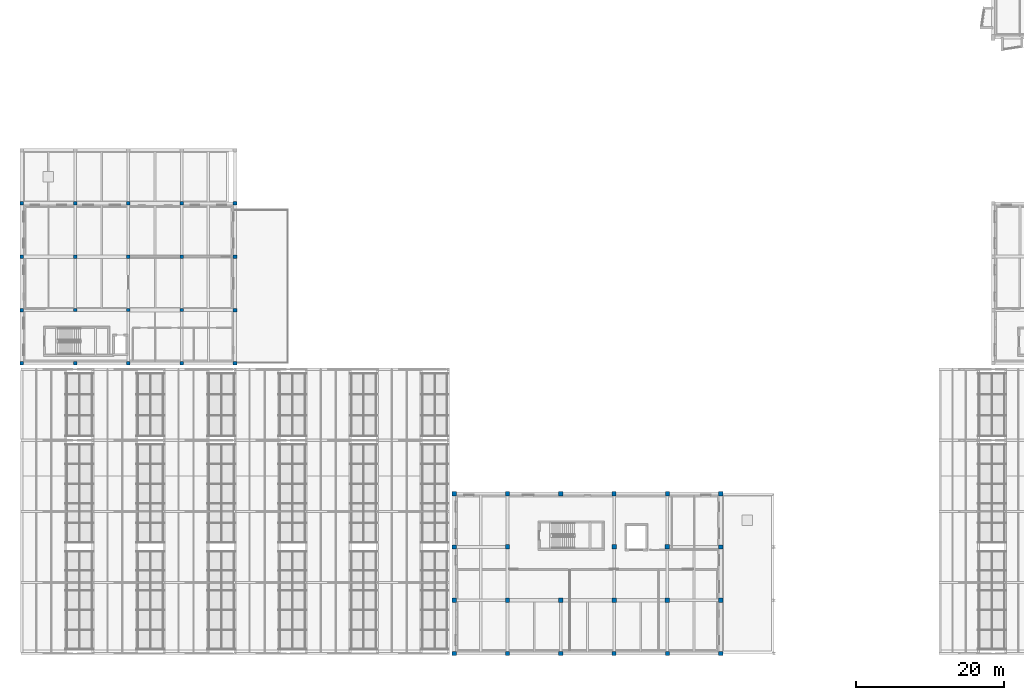
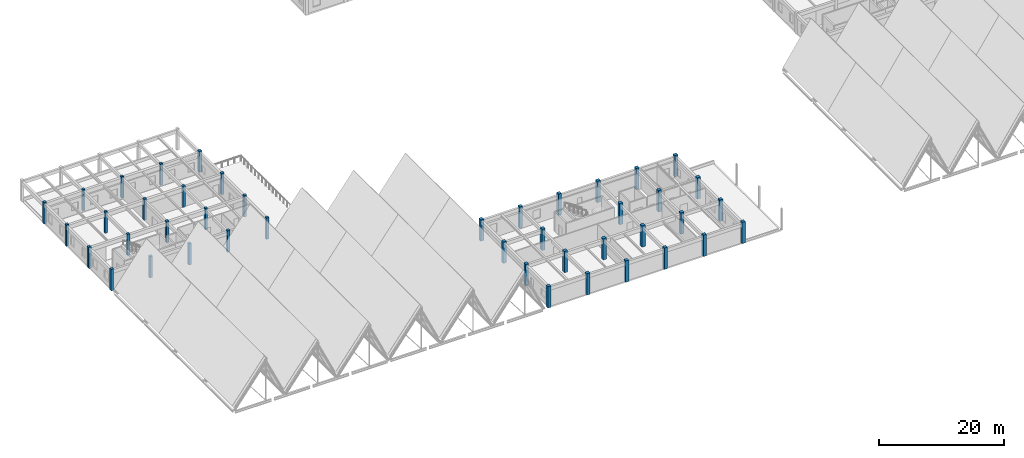
# One storey, part 1 of 99: 43 columns.
"""IFC4 building model written with IfcOpenShell, lengths in metres."""

from ifc_helpers import new_model, si_unit, direction, frame, origin, origin_2d, place, context, subcontext, project, spatial, rectangle, extrude, material, material_profile, profile_set, type_object, element, save


model = new_model("IFC4")

# Units and contexts
model_context = context("Model", 3, precision=1e-05, world=origin(), true_north=direction((0.0, 1.0)))
body_context = subcontext(model_context, "Body", "Model", "MODEL_VIEW")
ifc_project = project(units=[si_unit("LENGTHUNIT", "METRE"), si_unit("AREAUNIT", "SQUARE_METRE"), si_unit("VOLUMEUNIT", "CUBIC_METRE"), si_unit("PLANEANGLEUNIT", "RADIAN"), si_unit("MASSUNIT", "GRAM", prefix="KILO")], contexts=[model_context])

# Site, building, storey
site_placement = place(None, origin())
site = spatial("IfcSite", under=ifc_project, at=site_placement, CompositionType="ELEMENT")
building_placement = place(site_placement, origin())
building = spatial("IfcBuilding", under=site, at=building_placement, Name="Bramveld Media Centre", CompositionType="ELEMENT")
storey_placement = place(building_placement, frame((0.0, 0.0, 13.800048828125)))
storey = spatial("IfcBuildingStorey", under=building, at=storey_placement, Name="L03", CompositionType="ELEMENT", Elevation=13.800048828125)

# Columns
ifc_material_1 = material(Name="Concrete C40/50", Category="concrete")
ifc_material_profile_1 = material_profile(ifc_material_1, rectangle(XDim=0.47998046875, YDim=0.47998046875, at=origin_2d()), Name="RC 480x480")
ifc_profile_set_1 = profile_set([ifc_material_profile_1], Name="Concrete C40/50")
column_type_1 = type_object("IfcColumnType", Name="COL-EXT-RC-480x480", PredefinedType="COLUMN", material=ifc_profile_set_1)
for number, where, z_axis, x_axis, name in (
    (1, (0.0, 39.199951171875, 0.0), (0.0, 0.0, 1.0), (1.0, 0.0, 0.0), "V3 L03 column RC 480x480"),
    (2, (0.0, 46.39990234375, 0.0), (0.0, 0.0, 1.0), (1.0, 0.0, 0.0), "V3 L03 column RC 480x480"),
    (3, (0.0, 53.60009765625, 0.0), (0.0, 0.0, 1.0), (1.0, 0.0, 0.0), "V3 L03 column RC 480x480"),
    (4, (0.0, 60.800048828125, 0.0), (0.0, 0.0, 1.0), (1.0, 0.0, 0.0), "V3 L03 column RC 480x480"),
    (5, (7.199951171875, 39.199951171875, 0.0), (0.0, 0.0, 1.0), (1.0, 0.0, 0.0), "V3 L03 column RC 480x480"),
    (6, (14.39990234375, 39.199951171875, 0.0), (0.0, 0.0, 1.0), (1.0, 0.0, 0.0), "V3 L03 column RC 480x480"),
    (7, (21.60009765625, 39.199951171875, 0.0), (0.0, 0.0, 1.0), (1.0, 0.0, 0.0), "V3 L03 column RC 480x480"),
    (8, (28.800048828125, 39.199951171875, 0.0), (0.0, 0.0, 1.0), (1.0, 0.0, 0.0), "V3 L03 column RC 480x480"),
    (9, (28.800048828125, 46.39990234375, 0.0), (0.0, 0.0, 1.0), (1.0, 0.0, 0.0), "V3 L03 column RC 480x480"),
    (10, (28.800048828125, 53.60009765625, 0.0), (0.0, 0.0, 1.0), (1.0, 0.0, 0.0), "V3 L03 column RC 480x480"),
    (11, (28.800048828125, 60.800048828125, 0.0), (0.0, 0.0, 1.0), (1.0, 0.0, 0.0), "V3 L03 column RC 480x480"),
):
    element("IfcColumn", number, at=place(storey_placement, frame(where, z_axis=z_axis, x_axis=x_axis)), inside=storey, type_object=column_type_1, Name=name, PredefinedType="COLUMN", context=body_context, shape_type="SweptSolid", body=[
        extrude(rectangle(XDim=0.47998046875, YDim=0.47998046875, at=origin_2d()), origin(), (0.0, 0.0, 1.0), 4.199951171875),
    ])
ifc_material_2 = material(Name="Concrete C40/50", Category="concrete")
ifc_material_profile_2 = material_profile(ifc_material_2, rectangle(XDim=0.580078125, YDim=0.580078125, at=origin_2d()), Name="RC 580x580")
ifc_profile_set_2 = profile_set([ifc_material_profile_2], Name="Concrete C40/50")
column_type_2 = type_object("IfcColumnType", Name="COL-EXT-RC-580x580", PredefinedType="COLUMN", material=ifc_profile_set_2)
for number, where, z_axis, x_axis, name in (
    (12, (58.39990234375, 0.0, 0.0), (0.0, 0.0, 1.0), (1.0, 0.0, 0.0), "V5 L03 column RC 580x580"),
    (13, (58.39990234375, 7.199951171875, 0.0), (0.0, 0.0, 1.0), (1.0, 0.0, 0.0), "V5 L03 column RC 580x580"),
    (14, (58.39990234375, 14.39990234375, 0.0), (0.0, 0.0, 1.0), (1.0, 0.0, 0.0), "V5 L03 column RC 580x580"),
    (15, (58.39990234375, 21.60009765625, 0.0), (0.0, 0.0, 1.0), (1.0, 0.0, 0.0), "V5 L03 column RC 580x580"),
    (16, (65.60009765625, 0.0, 0.0), (0.0, 0.0, 1.0), (1.0, 0.0, 0.0), "V5 L03 column RC 580x580"),
    (17, (65.60009765625, 21.60009765625, 0.0), (0.0, 0.0, 1.0), (1.0, 0.0, 0.0), "V5 L03 column RC 580x580"),
    (18, (72.800048828125, 0.0, 0.0), (0.0, 0.0, 1.0), (1.0, 0.0, 0.0), "V5 L03 column RC 580x580"),
    (19, (72.800048828125, 21.60009765625, 0.0), (0.0, 0.0, 1.0), (1.0, 0.0, 0.0), "V5 L03 column RC 580x580"),
    (20, (80.0, 0.0, 0.0), (0.0, 0.0, 1.0), (1.0, 0.0, 0.0), "V5 L03 column RC 580x580"),
    (21, (80.0, 21.60009765625, 0.0), (0.0, 0.0, 1.0), (1.0, 0.0, 0.0), "V5 L03 column RC 580x580"),
    (22, (87.199951171875, 0.0, 0.0), (0.0, 0.0, 1.0), (1.0, 0.0, 0.0), "V5 L03 column RC 580x580"),
    (23, (87.199951171875, 21.60009765625, 0.0), (0.0, 0.0, 1.0), (1.0, 0.0, 0.0), "V5 L03 column RC 580x580"),
    (24, (94.39990234375, 0.0, 0.0), (0.0, 0.0, 1.0), (1.0, 0.0, 0.0), "V5 L03 column RC 580x580"),
    (25, (94.39990234375, 7.199951171875, 0.0), (0.0, 0.0, 1.0), (1.0, 0.0, 0.0), "V5 L03 column RC 580x580"),
    (26, (94.39990234375, 14.39990234375, 0.0), (0.0, 0.0, 1.0), (1.0, 0.0, 0.0), "V5 L03 column RC 580x580"),
    (27, (94.39990234375, 21.60009765625, 0.0), (0.0, 0.0, 1.0), (1.0, 0.0, 0.0), "V5 L03 column RC 580x580"),
):
    element("IfcColumn", number, at=place(storey_placement, frame(where, z_axis=z_axis, x_axis=x_axis)), inside=storey, type_object=column_type_2, Name=name, PredefinedType="COLUMN", context=body_context, shape_type="SweptSolid", body=[
        extrude(rectangle(XDim=0.580078125, YDim=0.580078125, at=origin_2d()), origin(), (0.0, 0.0, 1.0), 4.199951171875),
    ])
ifc_material_3 = material(Name="Concrete C40/50", Category="concrete")
ifc_material_profile_3 = material_profile(ifc_material_3, rectangle(XDim=0.449951171875, YDim=0.449951171875, at=origin_2d()), Name="RC 450x450")
ifc_profile_set_3 = profile_set([ifc_material_profile_3], Name="Concrete C40/50")
column_type_3 = type_object("IfcColumnType", Name="COL-INT-RC-450x450", PredefinedType="COLUMN", material=ifc_profile_set_3)
for number, where, z_axis, x_axis, name in (
    (28, (7.199951171875, 46.39990234375, 0.0), (0.0, 0.0, 1.0), (1.0, 0.0, 0.0), "V3 L03 column RC 450x450"),
    (29, (7.199951171875, 53.60009765625, 0.0), (0.0, 0.0, 1.0), (1.0, 0.0, 0.0), "V3 L03 column RC 450x450"),
    (30, (7.199951171875, 60.800048828125, 0.0), (0.0, 0.0, 1.0), (1.0, 0.0, 0.0), "V3 L03 column RC 450x450"),
    (31, (14.39990234375, 46.39990234375, 0.0), (0.0, 0.0, 1.0), (1.0, 0.0, 0.0), "V3 L03 column RC 450x450"),
    (32, (14.39990234375, 53.60009765625, 0.0), (0.0, 0.0, 1.0), (1.0, 0.0, 0.0), "V3 L03 column RC 450x450"),
    (33, (14.39990234375, 60.800048828125, 0.0), (0.0, 0.0, 1.0), (1.0, 0.0, 0.0), "V3 L03 column RC 450x450"),
    (34, (21.60009765625, 46.39990234375, 0.0), (0.0, 0.0, 1.0), (1.0, 0.0, 0.0), "V3 L03 column RC 450x450"),
    (35, (21.60009765625, 53.60009765625, 0.0), (0.0, 0.0, 1.0), (1.0, 0.0, 0.0), "V3 L03 column RC 450x450"),
    (36, (21.60009765625, 60.800048828125, 0.0), (0.0, 0.0, 1.0), (1.0, 0.0, 0.0), "V3 L03 column RC 450x450"),
):
    element("IfcColumn", number, at=place(storey_placement, frame(where, z_axis=z_axis, x_axis=x_axis)), inside=storey, type_object=column_type_3, Name=name, PredefinedType="COLUMN", context=body_context, shape_type="SweptSolid", body=[
        extrude(rectangle(XDim=0.449951171875, YDim=0.449951171875, at=origin_2d()), origin(), (0.0, 0.0, 1.0), 4.199951171875),
    ])
ifc_material_4 = material(Name="Concrete C40/50", Category="concrete")
ifc_material_profile_4 = material_profile(ifc_material_4, rectangle(XDim=0.60009765625, YDim=0.60009765625, at=origin_2d()), Name="RC 600x600")
ifc_profile_set_4 = profile_set([ifc_material_profile_4], Name="Concrete C40/50")
column_type_4 = type_object("IfcColumnType", Name="COL-INT-RC-600x600", PredefinedType="COLUMN", material=ifc_profile_set_4)
for number, where, z_axis, x_axis, name in (
    (37, (65.60009765625, 7.199951171875, 0.0), (0.0, 0.0, 1.0), (1.0, 0.0, 0.0), "V5 L03 column RC 600x600"),
    (38, (65.60009765625, 14.39990234375, 0.0), (0.0, 0.0, 1.0), (1.0, 0.0, 0.0), "V5 L03 column RC 600x600"),
    (39, (72.800048828125, 7.199951171875, 0.0), (0.0, 0.0, 1.0), (1.0, 0.0, 0.0), "V5 L03 column RC 600x600"),
    (40, (80.0, 7.199951171875, 0.0), (0.0, 0.0, 1.0), (1.0, 0.0, 0.0), "V5 L03 column RC 600x600"),
    (41, (80.0, 14.39990234375, 0.0), (0.0, 0.0, 1.0), (1.0, 0.0, 0.0), "V5 L03 column RC 600x600"),
    (42, (87.199951171875, 7.199951171875, 0.0), (0.0, 0.0, 1.0), (1.0, 0.0, 0.0), "V5 L03 column RC 600x600"),
    (43, (87.199951171875, 14.39990234375, 0.0), (0.0, 0.0, 1.0), (1.0, 0.0, 0.0), "V5 L03 column RC 600x600"),
):
    element("IfcColumn", number, at=place(storey_placement, frame(where, z_axis=z_axis, x_axis=x_axis)), inside=storey, type_object=column_type_4, Name=name, PredefinedType="COLUMN", context=body_context, shape_type="SweptSolid", body=[
        extrude(rectangle(XDim=0.60009765625, YDim=0.60009765625, at=origin_2d()), origin(), (0.0, 0.0, 1.0), 4.199951171875),
    ])

save(model, "model.ifc")
